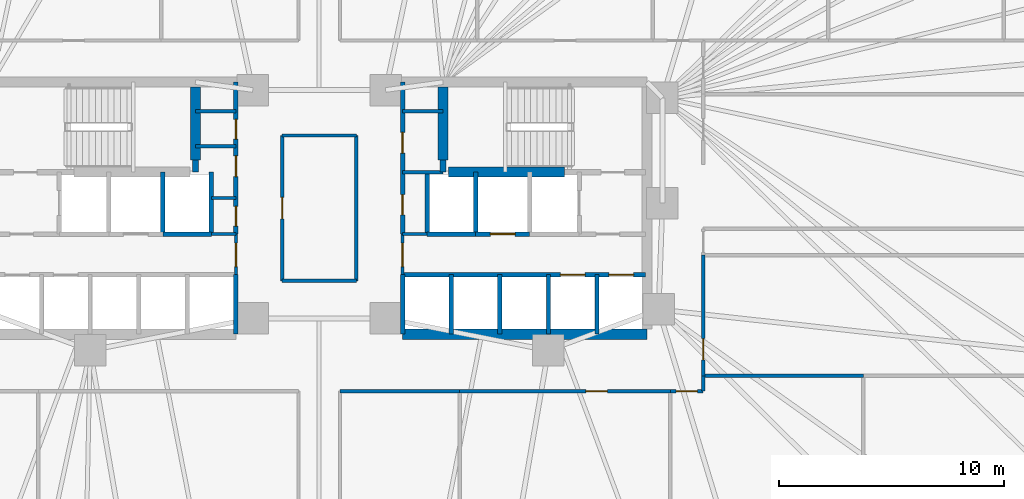
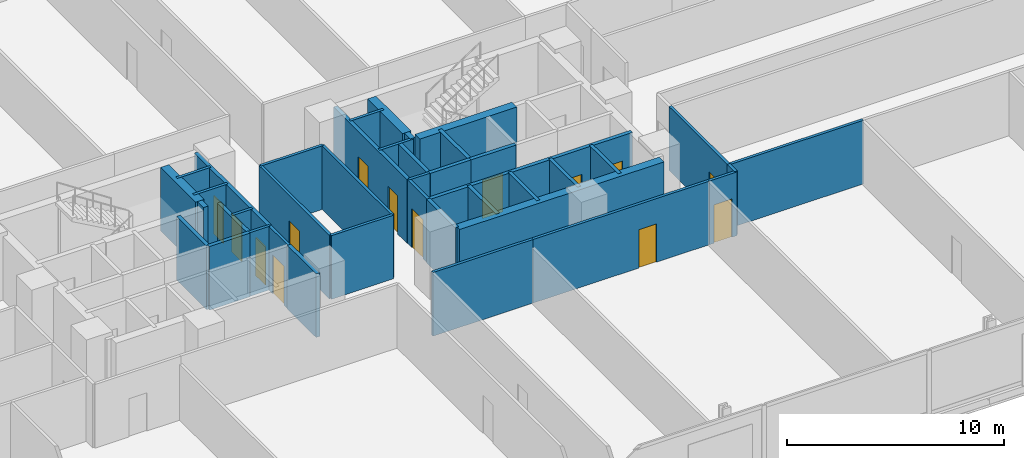
# One storey, part 13 of 17: 41 walls, 14 doors, 14 openings.
"""IFC4 building model written with IfcOpenShell, lengths in metres."""

import ifcopenshell
import ifcopenshell.guid

model = None  # the IFC model being written
_history = None  # IfcOwnerHistory: only IFC2X3 demands one
_inside = {}  # id of a spatial element -> (the spatial element, [elements in it])
_under = {}  # id of a project, library or spatial element -> (it, [spatial elements below it])
_declared = {}  # id of a project -> (the project, [libraries it declares])
_typed = {}  # id of a type object -> (the type object, [elements of that type])
_made_of = {}  # id of a material, layer set ... -> (it, [elements and type objects made of it])


def new_model(schema):
    """Start an empty IFC model of exactly this schema.

    Asked for "IFC4X3", IfcOpenShell would pick the latest addendum, in which some entities
    have other attributes; the version numbers below select the first issue.
    IFC2X3 requires an IfcOwnerHistory on every rooted entity: one is made here for all.
    """
    global model, _history
    if schema == "IFC4X3":
        model = ifcopenshell.file(schema_version=(4, 3, 0, 0))
    else:
        model = ifcopenshell.file(schema=schema)
    _inside.clear()
    _under.clear()
    _declared.clear()
    _typed.clear()
    _made_of.clear()
    _history = None
    if model.schema == "IFC2X3":
        org = make("IfcOrganization", Name="unknown")
        user = make(
            "IfcPersonAndOrganization",
            ThePerson=make("IfcPerson", FamilyName="unknown"),
            TheOrganization=org,
        )
        app = make(
            "IfcApplication",
            ApplicationDeveloper=org,
            Version="unknown",
            ApplicationFullName="unknown",
            ApplicationIdentifier="unknown",
        )
        _history = make(
            "IfcOwnerHistory",
            OwningUser=user,
            OwningApplication=app,
            ChangeAction="ADDED",
            CreationDate=0,
        )
    return model


def make(cls, **values):
    """One entity of the class cls with the attributes given. An attribute that is None is left unset."""
    return model.create_entity(
        cls, **{name: value for name, value in values.items() if value is not None}
    )


def rooted(cls, **values):
    """An entity with a GlobalId (a new one), such as an element, a storey or a relation."""
    return make(cls, GlobalId=ifcopenshell.guid.new(), OwnerHistory=_history, **values)


def si_unit(unit_type, name, prefix=None):
    """IfcSIUnit, for example si_unit("LENGTHUNIT", "METRE", prefix="MILLI")."""
    return make("IfcSIUnit", UnitType=unit_type, Prefix=prefix, Name=name)


def assignment(units):
    """IfcUnitAssignment: the units of a project."""
    return None if units is None else make("IfcUnitAssignment", Units=units)


def point(xyz):
    """IfcCartesianPoint."""
    return None if xyz is None else make("IfcCartesianPoint", Coordinates=xyz)


def direction(xyz):
    """IfcDirection."""
    return None if xyz is None else make("IfcDirection", DirectionRatios=xyz)


def frame(location, z_axis=None, x_axis=None):
    """IfcAxis2Placement3D, a coordinate frame: its origin and axes. An axis left out is left unset."""
    return make(
        "IfcAxis2Placement3D",
        Location=point(location),
        Axis=direction(z_axis),
        RefDirection=direction(x_axis),
    )


def frame_2d(location, x_axis=None):
    """IfcAxis2Placement2D, a coordinate frame in the plane: its origin and x axis."""
    return make(
        "IfcAxis2Placement2D", Location=point(location), RefDirection=direction(x_axis)
    )


def origin():
    """The frame at (0, 0, 0) with its axes left unset."""
    return frame((0.0, 0.0, 0.0))


def place(relative_to, where):
    """IfcLocalPlacement: puts the frame where relative to a parent placement (None: the world)."""
    return make(
        "IfcLocalPlacement", PlacementRelTo=relative_to, RelativePlacement=where
    )


def context(
    kind, dimensions, precision=None, world=None, true_north=None, identifier=None
):
    """IfcGeometricRepresentationContext, for example the 3D "Model" context."""
    return make(
        "IfcGeometricRepresentationContext",
        ContextIdentifier=identifier,
        ContextType=kind,
        CoordinateSpaceDimension=dimensions,
        Precision=precision,
        WorldCoordinateSystem=world,
        TrueNorth=true_north,
    )


def subcontext(parent, identifier, kind, view, scale=None):
    """IfcGeometricRepresentationSubContext, for example "Body" below "Model"."""
    return make(
        "IfcGeometricRepresentationSubContext",
        ContextIdentifier=identifier,
        ContextType=kind,
        ParentContext=parent,
        TargetScale=scale,
        TargetView=view,
    )


def project(units=None, contexts=None):
    """IfcProject with its units and contexts."""
    return rooted(
        "IfcProject",
        Name="project",
        RepresentationContexts=contexts,
        UnitsInContext=assignment(units),
    )


def spatial(cls, under=None, at=None, **own):
    """A site, building, storey or space (cls), placed at a placement, below another one or the project."""
    s = rooted(cls, ObjectPlacement=at, **own)
    if under is not None:
        _under.setdefault(under.id(), (under, []))[1].append(s)
    return s


def profile(cls, at=None, kind="AREA", **sizes):
    """A parametric profile (cls). Its sizes go by their IFC names, for example OverallWidth=200.0."""
    return make(cls, ProfileType=kind, Position=at, **sizes)


def rectangle(**sizes):
    """IfcRectangleProfileDef."""
    return profile("IfcRectangleProfileDef", **sizes)


def extrude(swept, where, along, depth):
    """IfcExtrudedAreaSolid: the profile swept, set in the frame where, extruded along a direction by depth."""
    return make(
        "IfcExtrudedAreaSolid",
        SweptArea=swept,
        Position=where,
        ExtrudedDirection=direction(along),
        Depth=depth,
    )


def shape(context_of_items, identifier, shape_type, items):
    """IfcShapeRepresentation: the items that make up one representation, for example the "Body"."""
    return make(
        "IfcShapeRepresentation",
        ContextOfItems=context_of_items,
        RepresentationIdentifier=identifier,
        RepresentationType=shape_type,
        Items=items,
    )


def material(Name=None, Category=None):
    """IfcMaterial."""
    return make("IfcMaterial", Name=Name, Category=Category)


def layer(
    of_material, thickness, ventilated=None, Name=None, Category=None, Priority=None
):
    """IfcMaterialLayer: one layer of a wall or slab, of a material (None: an air gap)."""
    return make(
        "IfcMaterialLayer",
        Material=of_material,
        LayerThickness=thickness,
        IsVentilated=ventilated,
        Name=Name,
        Category=Category,
        Priority=Priority,
    )


def layer_set(layers, Name=None):
    """IfcMaterialLayerSet."""
    return make("IfcMaterialLayerSet", MaterialLayers=layers, LayerSetName=Name)


def made_of(thing, what):
    """Note that an element or type object is made of a material, layer set ...; save() writes the relation."""
    if what is not None:
        _made_of.setdefault(what.id(), (what, []))[1].append(thing)
    return thing


def type_object(cls, material=None, **own):
    """A type object (cls), such as IfcWallType, which elements share."""
    return made_of(rooted(cls, **own), material)


def element(
    cls,
    number,
    at=None,
    inside=None,
    cuts=None,
    type_object=None,
    material=None,
    context=None,
    identifier="Body",
    shape_type=None,
    held_by="IfcProductDefinitionShape",
    body=None,
    shapes=None,
    **own,
):
    """One element of the class cls, such as IfcWall. Its Tag is "e" and its number.

    at: its placement. inside: the storey or other place that contains it. cuts: it is an
    opening in that element (IfcRelVoidsElement). A single representation is given by context,
    identifier, shape_type and body (its items); several are given by shapes. held_by: the class
    of the entity that holds the representations. save() writes the other relations.
    """
    e = rooted(cls, Tag="e%d" % number, ObjectPlacement=at, **own)
    if body is not None:
        shapes = [shape(context, identifier, shape_type, body)]
    if shapes is not None:
        e.Representation = make(held_by, Representations=shapes)
    if inside is not None:
        _inside.setdefault(inside.id(), (inside, []))[1].append(e)
    if cuts is not None:
        rooted(
            "IfcRelVoidsElement", RelatingBuildingElement=cuts, RelatedOpeningElement=e
        )
    if type_object is not None:
        _typed.setdefault(type_object.id(), (type_object, []))[1].append(e)
    return made_of(e, material)


def fill(opening, filler):
    """IfcRelFillsElement: the door or window that sits in an opening."""
    return rooted(
        "IfcRelFillsElement",
        RelatingOpeningElement=opening,
        RelatedBuildingElement=filler,
    )


def aggregate(whole, parts):
    """IfcRelAggregates: a whole, such as a stair, and the parts it consists of."""
    return rooted("IfcRelAggregates", RelatingObject=whole, RelatedObjects=parts)


def save(model, path):
    """Write the relations noted so far, then the file.

    IfcRelAggregates (storeys below a building ...), IfcRelContainedInSpatialStructure (elements
    in a storey), IfcRelDefinesByType, IfcRelAssociatesMaterial and IfcRelDeclares: one each for
    every whole, place, type object, material and project.
    """
    for whole, parts in _under.values():
        aggregate(whole, parts)
    for where, things in _inside.values():
        rooted(
            "IfcRelContainedInSpatialStructure",
            RelatedElements=things,
            RelatingStructure=where,
        )
    for kind, things in _typed.values():
        rooted("IfcRelDefinesByType", RelatedObjects=things, RelatingType=kind)
    for what, things in _made_of.values():
        rooted("IfcRelAssociatesMaterial", RelatedObjects=things, RelatingMaterial=what)
    for by, libraries in _declared.values():
        rooted("IfcRelDeclares", RelatingContext=by, RelatedDefinitions=libraries)
    model.write(path)


model = new_model("IFC4")

# Units and contexts
model_context = context("Model", 3, precision=1e-05, world=origin(), true_north=direction((0.0, 1.0)))
body_context = subcontext(model_context, "Body", "Model", "MODEL_VIEW")
ifc_project = project(units=[si_unit("LENGTHUNIT", "METRE"), si_unit("AREAUNIT", "SQUARE_METRE"), si_unit("VOLUMEUNIT", "CUBIC_METRE"), si_unit("PLANEANGLEUNIT", "RADIAN"), si_unit("MASSUNIT", "GRAM", prefix="KILO")], contexts=[model_context])

# Site, building, storey
site_placement = place(None, origin())
site = spatial("IfcSite", under=ifc_project, at=site_placement, CompositionType="ELEMENT")
building_placement = place(site_placement, origin())
building = spatial("IfcBuilding", under=site, at=building_placement, Name="Menara Jurai Vektor", CompositionType="ELEMENT")
storey_placement = place(building_placement, frame((0.0, 0.0, 37.0)))
storey = spatial("IfcBuildingStorey", under=building, at=storey_placement, Name="L08", CompositionType="ELEMENT", Elevation=37.0)

# Walls
ifc_material_1 = material(Name="Concrete C40/50", Category="concrete")
ifc_layer_1 = layer(ifc_material_1, 0.25)
ifc_layer_set_1 = layer_set([ifc_layer_1], Name="Concrete C40/50")
wall_type_1 = type_object("IfcWallType", Name="INT-WALL-CORE-250", PredefinedType="STANDARD", material=ifc_layer_set_1)
for number, where, z_axis, x_axis, name in (
    (1, (-5.5, 1.60009765625, 0.0), (0.0, 0.0, 1.0), (0.0, 1.0, 0.0), "Interior Wall IW-250 L08"),
    (2, (5.5, 1.60009765625, 0.0), (0.0, 0.0, 1.0), (0.0, 1.0, 0.0), "Interior Wall IW-250 L08"),
):
    element("IfcWall", number, at=place(storey_placement, frame(where, z_axis=z_axis, x_axis=x_axis)), inside=storey, type_object=wall_type_1, Name=name, PredefinedType="STANDARD", context=body_context, shape_type="SweptSolid", body=[
        extrude(rectangle(XDim=0.5498046875, YDim=0.25, at=frame_2d((0.27490234375, 0.0))), origin(), (0.0, 0.0, 1.0), 3.574951171875),
    ])

# Wall, opening, door
ifc_material_2 = material(Name="Gypsum Fireboard Partition", Category="gypsum")
ifc_layer_2 = layer(ifc_material_2, 0.14990234375)
ifc_layer_set_2 = layer_set([ifc_layer_2], Name="Gypsum Fireboard Partition")
wall_type_2 = type_object("IfcWallType", Name="INT-WALL-CORR-150", PredefinedType="PARTITIONING", material=ifc_layer_set_2)
wall_1_placement = place(storey_placement, frame((-3.699951171875, -2.949951171875, 0.0), z_axis=(0.0, 0.0, 1.0), x_axis=(0.0, 1.0, 0.0)))
wall_1 = element("IfcWall", 3, at=wall_1_placement, inside=storey, type_object=wall_type_2, Name="Interior Wall IW-150 L08", PredefinedType="PARTITIONING", context=body_context, shape_type="SweptSolid", body=[
    extrude(rectangle(XDim=1.800048828125, YDim=0.14990234375, at=frame_2d((0.89990234375, 0.0))), origin(), (0.0, 0.0, 1.0), 3.574951171875),
])
opening_1_placement = place(wall_1_placement, frame((0.35009765625, 0.0, 0.0)))
opening_1 = element("IfcOpeningElement", 4, at=opening_1_placement, cuts=wall_1, Name="Opening D-L08-LLW", PredefinedType="OPENING", context=body_context, shape_type="SweptSolid", body=[
    extrude(rectangle(XDim=1.050048828125, YDim=2.179931640625, at=frame_2d((0.52490234375, 1.08984375))), frame((0.0, 0.0849609375, 0.0), z_axis=(0.0, -1.0, 0.0), x_axis=(1.0, 0.0, 0.0)), (0.0, 0.0, 1.0), 0.169921875),
])
ifc_material_3 = material(Name="Fire-Rated Timber Door", Category="wood")
door_type_1 = type_object("IfcDoorType", Name="DR-LOBBY-1050", OperationType="NOTDEFINED", PredefinedType="DOOR", material=ifc_material_3)
door_1_placement = place(opening_1_placement, origin())
door_1 = element("IfcDoor", 5, at=door_1_placement, inside=storey, type_object=door_type_1, Name="Lift Lobby Corridor Door W L08", OperationType="SINGLE_SWING_LEFT", OverallHeight=2.179931640625, OverallWidth=1.050048828125, PredefinedType="DOOR", context=body_context, shape_type="SweptSolid", body=[
    extrude(rectangle(XDim=1.050048828125, YDim=2.179931640625, at=frame_2d((0.52490234375, 1.08984375))), frame((0.0, 0.02490234375, 0.0), z_axis=(0.0, -1.0, 0.0), x_axis=(1.0, 0.0, 0.0)), (0.0, 0.0, 1.0), 0.050048828125),
])
fill(opening_1, door_1)

# Wall
wall_2_placement = place(storey_placement, frame((-4.7900390625, -1.14990234375, 0.0), z_axis=(0.0, 0.0, 1.0), x_axis=(1.0, 0.0, 0.0)))
element("IfcWall", 6, at=wall_2_placement, inside=storey, type_object=wall_type_2, Name="Interior Wall IW-150 L08", PredefinedType="PARTITIONING", context=body_context, shape_type="SweptSolid", body=[
    extrude(rectangle(XDim=1.090087890625, YDim=0.14990234375, at=frame_2d((0.544921875, 0.0))), origin(), (0.0, 0.0, 1.0), 3.574951171875),
])

# Wall, opening, door
wall_3_placement = place(storey_placement, frame((3.699951171875, -2.949951171875, 0.0), z_axis=(0.0, 0.0, 1.0), x_axis=(0.0, 1.0, 0.0)))
wall_3 = element("IfcWall", 7, at=wall_3_placement, inside=storey, type_object=wall_type_2, Name="Interior Wall IW-150 L08", PredefinedType="PARTITIONING", context=body_context, shape_type="SweptSolid", body=[
    extrude(rectangle(XDim=1.800048828125, YDim=0.14990234375, at=frame_2d((0.89990234375, 0.0))), origin(), (0.0, 0.0, 1.0), 3.574951171875),
])
opening_2_placement = place(wall_3_placement, frame((0.35009765625, 0.0, 0.0)))
opening_2 = element("IfcOpeningElement", 8, at=opening_2_placement, cuts=wall_3, Name="Opening D-L08-LLE", PredefinedType="OPENING", context=body_context, shape_type="SweptSolid", body=[
    extrude(rectangle(XDim=1.050048828125, YDim=2.179931640625, at=frame_2d((0.52490234375, 1.08984375))), frame((0.0, 0.0849609375, 0.0), z_axis=(0.0, -1.0, 0.0), x_axis=(1.0, 0.0, 0.0)), (0.0, 0.0, 1.0), 0.169921875),
])
door_2_placement = place(opening_2_placement, frame((1.050048828125, 0.0, 0.0), z_axis=(0.0, 0.0, 1.0), x_axis=(-1.0, 0.0, 0.0)))
door_2 = element("IfcDoor", 9, at=door_2_placement, inside=storey, type_object=door_type_1, Name="Lift Lobby Corridor Door E L08", OperationType="SINGLE_SWING_RIGHT", OverallHeight=2.179931640625, OverallWidth=1.050048828125, PredefinedType="DOOR", context=body_context, shape_type="SweptSolid", body=[
    extrude(rectangle(XDim=1.050048828125, YDim=2.179931640625, at=frame_2d((0.52490234375, 1.08984375))), frame((0.0, 0.02490234375, 0.0), z_axis=(0.0, -1.0, 0.0), x_axis=(1.0, 0.0, 0.0)), (0.0, 0.0, 1.0), 0.050048828125),
])
fill(opening_2, door_2)

# Walls
wall_4_placement = place(storey_placement, frame((3.699951171875, -1.14990234375, 0.0), z_axis=(0.0, 0.0, 1.0), x_axis=(1.0, 0.0, 0.0)))
element("IfcWall", 10, at=wall_4_placement, inside=storey, type_object=wall_type_2, Name="Interior Wall IW-150 L08", PredefinedType="PARTITIONING", context=body_context, shape_type="SweptSolid", body=[
    extrude(rectangle(XDim=1.090087890625, YDim=0.14990234375, at=frame_2d((0.544921875, 0.0))), origin(), (0.0, 0.0, 1.0), 3.574951171875),
])
wall_5_placement = place(storey_placement, frame((-5.5, 4.300048828125, 0.0), z_axis=(0.0, 0.0, 1.0), x_axis=(1.0, 0.0, 0.0)))
element("IfcWall", 11, at=wall_5_placement, inside=storey, type_object=wall_type_2, Name="Interior Wall IW-150 L08", PredefinedType="PARTITIONING", context=body_context, shape_type="SweptSolid", body=[
    extrude(rectangle(XDim=1.800048828125, YDim=0.14990234375, at=frame_2d((0.89990234375, 0.0))), origin(), (0.0, 0.0, 1.0), 3.574951171875),
])
wall_6_placement = place(storey_placement, frame((-4.7900390625, 0.449951171875, 0.0), z_axis=(0.0, 0.0, 1.0), x_axis=(1.0, 0.0, 0.0)))
element("IfcWall", 12, at=wall_6_placement, inside=storey, type_object=wall_type_2, Name="Interior Wall IW-150 L08", PredefinedType="PARTITIONING", context=body_context, shape_type="SweptSolid", body=[
    extrude(rectangle(XDim=1.090087890625, YDim=0.14990234375, at=frame_2d((0.544921875, 0.0))), origin(), (0.0, 0.0, 1.0), 3.574951171875),
])
for number, where, z_axis, x_axis, name in (
    (13, (-5.5, 2.75, 0.0), (0.0, 0.0, 1.0), (1.0, 0.0, 0.0), "Interior Wall IW-150 L08"),
    (14, (3.699951171875, 4.300048828125, 0.0), (0.0, 0.0, 1.0), (1.0, 0.0, 0.0), "Interior Wall IW-150 L08"),
    (15, (3.699951171875, 1.60009765625, 0.0), (0.0, 0.0, 1.0), (1.0, 0.0, 0.0), "Interior Wall IW-150 L08"),
):
    element("IfcWall", number, at=place(storey_placement, frame(where, z_axis=z_axis, x_axis=x_axis)), inside=storey, type_object=wall_type_2, Name=name, PredefinedType="PARTITIONING", context=body_context, shape_type="SweptSolid", body=[
        extrude(rectangle(XDim=1.800048828125, YDim=0.14990234375, at=frame_2d((0.89990234375, 0.0))), origin(), (0.0, 0.0, 1.0), 3.574951171875),
    ])

# Wall, opening, door
wall_7_placement = place(storey_placement, frame((-1.64990234375, -3.22998046875, 0.0), z_axis=(0.0, 0.0, 1.0), x_axis=(0.0, 1.0, 0.0)))
wall_7 = element("IfcWall", 16, at=wall_7_placement, inside=storey, type_object=wall_type_2, Name="Interior Wall IW-150 L08", PredefinedType="PARTITIONING", context=body_context, shape_type="SweptSolid", body=[
    extrude(rectangle(XDim=6.4599609375, YDim=0.14990234375, at=frame_2d((3.22998046875, 0.0))), origin(), (0.0, 0.0, 1.0), 3.574951171875),
])
opening_3_placement = place(wall_7_placement, frame((2.7548828125, 0.0, 0.0)))
opening_3 = element("IfcOpeningElement", 17, at=opening_3_placement, cuts=wall_7, Name="Opening D08-06", PredefinedType="OPENING", context=body_context, shape_type="SweptSolid", body=[
    extrude(rectangle(XDim=0.949951171875, YDim=2.14990234375, at=frame_2d((0.47509765625, 1.074951171875))), frame((0.0, 0.0849609375, 0.0), z_axis=(0.0, -1.0, 0.0), x_axis=(1.0, 0.0, 0.0)), (0.0, 0.0, 1.0), 0.169921875),
])
ifc_material_4 = material(Name="Solid Core Timber Fire Door", Category="wood")
door_type_2 = type_object("IfcDoorType", Name="DR-ENTRY-950", OperationType="NOTDEFINED", PredefinedType="DOOR", material=ifc_material_4)
door_3_placement = place(opening_3_placement, origin())
door_3 = element("IfcDoor", 18, at=door_3_placement, inside=storey, type_object=door_type_2, Name="Interior Door D08-06", OperationType="SINGLE_SWING_LEFT", OverallHeight=2.14990234375, OverallWidth=0.949951171875, PredefinedType="DOOR", context=body_context, shape_type="SweptSolid", body=[
    extrude(rectangle(XDim=0.949951171875, YDim=2.14990234375, at=frame_2d((0.47509765625, 1.074951171875))), frame((0.0, 0.02490234375, 0.0), z_axis=(0.0, -1.0, 0.0), x_axis=(1.0, 0.0, 0.0)), (0.0, 0.0, 1.0), 0.050048828125),
])
fill(opening_3, door_3)

# Walls
for number, where, z_axis, x_axis, name in (
    (19, (-1.64990234375, -3.22998046875, 0.0), (0.0, 0.0, 1.0), (1.0, 0.0, 0.0), "Interior Wall IW-150 L08"),
    (20, (-1.64990234375, 3.22998046875, 0.0), (0.0, 0.0, 1.0), (1.0, 0.0, 0.0), "Interior Wall IW-150 L08"),
):
    element("IfcWall", number, at=place(storey_placement, frame(where, z_axis=z_axis, x_axis=x_axis)), inside=storey, type_object=wall_type_2, Name=name, PredefinedType="PARTITIONING", context=body_context, shape_type="SweptSolid", body=[
        extrude(rectangle(XDim=3.2998046875, YDim=0.14990234375, at=frame_2d((1.64990234375, 0.0))), origin(), (0.0, 0.0, 1.0), 3.574951171875),
    ])
wall_8_placement = place(storey_placement, frame((1.64990234375, -3.22998046875, 0.0), z_axis=(0.0, 0.0, 1.0), x_axis=(0.0, 1.0, 0.0)))
element("IfcWall", 21, at=wall_8_placement, inside=storey, type_object=wall_type_2, Name="Interior Wall IW-150 L08", PredefinedType="PARTITIONING", context=body_context, shape_type="SweptSolid", body=[
    extrude(rectangle(XDim=6.4599609375, YDim=0.14990234375, at=frame_2d((3.22998046875, 0.0))), origin(), (0.0, 0.0, 1.0), 3.574951171875),
])
wall_9_placement = place(storey_placement, frame((0.919921875, -8.1298828125, 0.0), z_axis=(0.0, 0.0, 1.0), x_axis=(1.0, 0.0, 0.0)))
element("IfcWall", 22, at=wall_9_placement, inside=storey, type_object=wall_type_2, Name="Interior Wall IW-150 L08", PredefinedType="PARTITIONING", context=body_context, shape_type="SweptSolid", body=[
    extrude(rectangle(XDim=5.320068359375, YDim=0.14990234375, at=frame_2d((2.66015625, 0.0))), origin(), (0.0, 0.0, 1.0), 3.574951171875),
])

# Wall, opening, door
wall_10_placement = place(storey_placement, frame((6.239990234375, -8.1298828125, 0.0), z_axis=(0.0, 0.0, 1.0), x_axis=(1.0, 0.0, 0.0)))
wall_10 = element("IfcWall", 23, at=wall_10_placement, inside=storey, type_object=wall_type_2, Name="Interior Wall IW-150 L08", PredefinedType="PARTITIONING", context=body_context, shape_type="SweptSolid", body=[
    extrude(rectangle(XDim=9.360107421875, YDim=0.14990234375, at=frame_2d((4.68017578125, 0.0))), origin(), (0.0, 0.0, 1.0), 3.574951171875),
])
opening_4_placement = place(wall_10_placement, frame((5.60888671875, 0.0, 0.0)))
opening_4 = element("IfcOpeningElement", 24, at=opening_4_placement, cuts=wall_10, Name="Opening D08-16", PredefinedType="OPENING", context=body_context, shape_type="SweptSolid", body=[
    extrude(rectangle(XDim=0.949951171875, YDim=2.14990234375, at=frame_2d((0.47509765625, 1.074951171875))), frame((0.0, 0.0849609375, 0.0), z_axis=(0.0, -1.0, 0.0), x_axis=(1.0, 0.0, 0.0)), (0.0, 0.0, 1.0), 0.169921875),
])
door_4_placement = place(opening_4_placement, origin())
door_4 = element("IfcDoor", 25, at=door_4_placement, inside=storey, type_object=door_type_2, Name="Interior Door D08-16", OperationType="SINGLE_SWING_LEFT", OverallHeight=2.14990234375, OverallWidth=0.949951171875, PredefinedType="DOOR", context=body_context, shape_type="SweptSolid", body=[
    extrude(rectangle(XDim=0.949951171875, YDim=2.14990234375, at=frame_2d((0.47509765625, 1.074951171875))), frame((0.0, 0.02490234375, 0.0), z_axis=(0.0, -1.0, 0.0), x_axis=(1.0, 0.0, 0.0)), (0.0, 0.0, 1.0), 0.050048828125),
])
fill(opening_4, door_4)

wall_11_placement = place(storey_placement, frame((15.60009765625, -8.1298828125, 0.0), z_axis=(0.0, 0.0, 1.0), x_axis=(1.0, 0.0, 0.0)))
wall_11 = element("IfcWall", 26, at=wall_11_placement, inside=storey, type_object=wall_type_2, Name="Interior Wall IW-150 L08", PredefinedType="PARTITIONING", context=body_context, shape_type="SweptSolid", body=[
    extrude(rectangle(XDim=1.458984375, YDim=0.14990234375, at=frame_2d((0.7294921875, 0.0))), origin(), (0.0, 0.0, 1.0), 3.574951171875),
])
opening_5_placement = place(wall_11_placement, frame((0.25439453125, 0.0, 0.0)))
opening_5 = element("IfcOpeningElement", 27, at=opening_5_placement, cuts=wall_11, Name="Opening D08-17", PredefinedType="OPENING", context=body_context, shape_type="SweptSolid", body=[
    extrude(rectangle(XDim=0.949951171875, YDim=2.14990234375, at=frame_2d((0.47509765625, 1.074951171875))), frame((0.0, 0.0849609375, 0.0), z_axis=(0.0, -1.0, 0.0), x_axis=(1.0, 0.0, 0.0)), (0.0, 0.0, 1.0), 0.169921875),
])
door_5_placement = place(opening_5_placement, origin())
door_5 = element("IfcDoor", 28, at=door_5_placement, inside=storey, type_object=door_type_2, Name="Interior Door D08-17", OperationType="SINGLE_SWING_RIGHT", OverallHeight=2.14990234375, OverallWidth=0.949951171875, PredefinedType="DOOR", context=body_context, shape_type="SweptSolid", body=[
    extrude(rectangle(XDim=0.949951171875, YDim=2.14990234375, at=frame_2d((0.47509765625, 1.074951171875))), frame((0.0, 0.02490234375, 0.0), z_axis=(0.0, -1.0, 0.0), x_axis=(1.0, 0.0, 0.0)), (0.0, 0.0, 1.0), 0.050048828125),
])
fill(opening_5, door_5)

# Wall
wall_12_placement = place(storey_placement, frame((17.05908203125, -8.1298828125, 0.0), z_axis=(0.0, 0.0, 1.0), x_axis=(0.0, 1.0, 0.0)))
element("IfcWall", 29, at=wall_12_placement, inside=storey, type_object=wall_type_2, Name="Interior Wall IW-150 L08", PredefinedType="PARTITIONING", context=body_context, shape_type="SweptSolid", body=[
    extrude(rectangle(XDim=0.679931640625, YDim=0.14990234375, at=frame_2d((0.33984375, 0.0))), origin(), (0.0, 0.0, 1.0), 3.574951171875),
])

# Wall, opening, door
wall_13_placement = place(storey_placement, frame((17.05908203125, -7.449951171875, 0.0), z_axis=(0.0, 0.0, 1.0), x_axis=(0.0, 1.0, 0.0)))
wall_13 = element("IfcWall", 30, at=wall_13_placement, inside=storey, type_object=wall_type_2, Name="Interior Wall IW-150 L08", PredefinedType="PARTITIONING", context=body_context, shape_type="SweptSolid", body=[
    extrude(rectangle(XDim=5.364013671875, YDim=0.14990234375, at=frame_2d((2.68212890625, 0.0))), origin(), (0.0, 0.0, 1.0), 3.574951171875),
])
opening_6_placement = place(wall_13_placement, frame((0.705078125, 0.0, 0.0)))
opening_6 = element("IfcOpeningElement", 31, at=opening_6_placement, cuts=wall_13, Name="Opening D08-21", PredefinedType="OPENING", context=body_context, shape_type="SweptSolid", body=[
    extrude(rectangle(XDim=0.949951171875, YDim=2.14990234375, at=frame_2d((0.47509765625, 1.074951171875))), frame((0.0, 0.0849609375, 0.0), z_axis=(0.0, -1.0, 0.0), x_axis=(1.0, 0.0, 0.0)), (0.0, 0.0, 1.0), 0.169921875),
])
door_6_placement = place(opening_6_placement, origin())
door_6 = element("IfcDoor", 32, at=door_6_placement, inside=storey, type_object=door_type_2, Name="Interior Door D08-21", OperationType="SINGLE_SWING_RIGHT", OverallHeight=2.14990234375, OverallWidth=0.949951171875, PredefinedType="DOOR", context=body_context, shape_type="SweptSolid", body=[
    extrude(rectangle(XDim=0.949951171875, YDim=2.14990234375, at=frame_2d((0.47509765625, 1.074951171875))), frame((0.0, 0.02490234375, 0.0), z_axis=(0.0, -1.0, 0.0), x_axis=(1.0, 0.0, 0.0)), (0.0, 0.0, 1.0), 0.050048828125),
])
fill(opening_6, door_6)

# Wall
wall_14_placement = place(storey_placement, frame((17.05908203125, -7.449951171875, 0.0), z_axis=(0.0, 0.0, 1.0), x_axis=(1.0, 0.0, 0.0)))
element("IfcWall", 33, at=wall_14_placement, inside=storey, type_object=wall_type_2, Name="Interior Wall IW-150 L08", PredefinedType="PARTITIONING", context=body_context, shape_type="SweptSolid", body=[
    extrude(rectangle(XDim=7.120849609375, YDim=0.14990234375, at=frame_2d((3.560546875, 0.0))), origin(), (0.0, 0.0, 1.0), 3.574951171875),
])

# Wall, openings, doors
ifc_layer_3 = layer(ifc_material_1, 0.199951171875)
ifc_layer_set_3 = layer_set([ifc_layer_3], Name="Concrete C40/50")
wall_type_3 = type_object("IfcWallType", Name="INT-WALL-SHAFT-200", PredefinedType="STANDARD", material=ifc_layer_set_3)
wall_15_placement = place(storey_placement, frame((-3.699951171875, -1.14990234375, 0.0), z_axis=(0.0, 0.0, 1.0), x_axis=(0.0, 1.0, 0.0)))
wall_15 = element("IfcWall", 34, at=wall_15_placement, inside=storey, type_object=wall_type_3, Name="Interior Wall IW-200 L08", PredefinedType="STANDARD", context=body_context, shape_type="SweptSolid", body=[
    extrude(rectangle(XDim=6.75, YDim=0.199951171875, at=frame_2d((3.375, 0.0))), origin(), (0.0, 0.0, 1.0), 3.574951171875),
])
opening_7_placement = place(wall_15_placement, frame((0.35009765625, 0.0, 0.0)))
opening_7 = element("IfcOpeningElement", 35, at=opening_7_placement, cuts=wall_15, Name="Opening D08-01", PredefinedType="OPENING", context=body_context, shape_type="SweptSolid", body=[
    extrude(rectangle(XDim=0.8798828125, YDim=2.14990234375, at=frame_2d((0.43994140625, 1.074951171875))), frame((0.0, 0.10986328125, 0.0), z_axis=(0.0, -1.0, 0.0), x_axis=(1.0, 0.0, 0.0)), (0.0, 0.0, 1.0), 0.219970703125),
])
opening_8_placement = place(wall_15_placement, frame((2.550048828125, 0.0, 0.0)))
opening_8 = element("IfcOpeningElement", 36, at=opening_8_placement, cuts=wall_15, Name="Opening D08-02", PredefinedType="OPENING", context=body_context, shape_type="SweptSolid", body=[
    extrude(rectangle(XDim=0.919921875, YDim=2.14990234375, at=frame_2d((0.4599609375, 1.074951171875))), frame((0.0, 0.10986328125, 0.0), z_axis=(0.0, -1.0, 0.0), x_axis=(1.0, 0.0, 0.0)), (0.0, 0.0, 1.0), 0.219970703125),
])
opening_9_placement = place(wall_15_placement, frame((4.219970703125, 0.0, 0.0)))
opening_9 = element("IfcOpeningElement", 37, at=opening_9_placement, cuts=wall_15, Name="Opening D08-03", PredefinedType="OPENING", context=body_context, shape_type="SweptSolid", body=[
    extrude(rectangle(XDim=0.8798828125, YDim=2.14990234375, at=frame_2d((0.43994140625, 1.074951171875))), frame((0.0, 0.10986328125, 0.0), z_axis=(0.0, -1.0, 0.0), x_axis=(1.0, 0.0, 0.0)), (0.0, 0.0, 1.0), 0.219970703125),
])
door_7_placement = place(opening_7_placement, origin())
door_7 = element("IfcDoor", 38, at=door_7_placement, inside=storey, type_object=door_type_2, Name="Interior Door D08-01", OperationType="SINGLE_SWING_LEFT", OverallHeight=2.14990234375, OverallWidth=0.8798828125, PredefinedType="DOOR", context=body_context, shape_type="SweptSolid", body=[
    extrude(rectangle(XDim=0.8798828125, YDim=2.14990234375, at=frame_2d((0.43994140625, 1.074951171875))), frame((0.0, 0.02490234375, 0.0), z_axis=(0.0, -1.0, 0.0), x_axis=(1.0, 0.0, 0.0)), (0.0, 0.0, 1.0), 0.050048828125),
])
fill(opening_7, door_7)
door_8_placement = place(opening_8_placement, origin())
door_8 = element("IfcDoor", 39, at=door_8_placement, inside=storey, type_object=door_type_2, Name="Interior Door D08-02", OperationType="SINGLE_SWING_LEFT", OverallHeight=2.14990234375, OverallWidth=0.919921875, PredefinedType="DOOR", context=body_context, shape_type="SweptSolid", body=[
    extrude(rectangle(XDim=0.919921875, YDim=2.14990234375, at=frame_2d((0.4599609375, 1.074951171875))), frame((0.0, 0.02490234375, 0.0), z_axis=(0.0, -1.0, 0.0), x_axis=(1.0, 0.0, 0.0)), (0.0, 0.0, 1.0), 0.050048828125),
])
fill(opening_8, door_8)
door_9_placement = place(opening_9_placement, origin())
door_9 = element("IfcDoor", 40, at=door_9_placement, inside=storey, type_object=door_type_2, Name="Interior Door D08-03", OperationType="SINGLE_SWING_LEFT", OverallHeight=2.14990234375, OverallWidth=0.8798828125, PredefinedType="DOOR", context=body_context, shape_type="SweptSolid", body=[
    extrude(rectangle(XDim=0.8798828125, YDim=2.14990234375, at=frame_2d((0.43994140625, 1.074951171875))), frame((0.0, 0.02490234375, 0.0), z_axis=(0.0, -1.0, 0.0), x_axis=(1.0, 0.0, 0.0)), (0.0, 0.0, 1.0), 0.050048828125),
])
fill(opening_9, door_9)

# Walls
wall_16_placement = place(storey_placement, frame((-3.699951171875, -5.60009765625, 0.0), z_axis=(0.0, 0.0, 1.0), x_axis=(0.0, 1.0, 0.0)))
element("IfcWall", 41, at=wall_16_placement, inside=storey, type_object=wall_type_3, Name="Interior Wall IW-200 L08", PredefinedType="STANDARD", context=body_context, shape_type="SweptSolid", body=[
    extrude(rectangle(XDim=2.650146484375, YDim=0.199951171875, at=frame_2d((1.3251953125, 0.0))), origin(), (0.0, 0.0, 1.0), 3.574951171875),
])
for number, where, z_axis, x_axis, name in (
    (42, (-6.949951171875, -1.14990234375, 0.0), (0.0, 0.0, 1.0), (0.0, 1.0, 0.0), "Interior Wall IW-200 L08"),
    (43, (-4.7900390625, -1.14990234375, 0.0), (0.0, 0.0, 1.0), (0.0, 1.0, 0.0), "Interior Wall IW-200 L08"),
):
    element("IfcWall", number, at=place(storey_placement, frame(where, z_axis=z_axis, x_axis=x_axis)), inside=storey, type_object=wall_type_3, Name=name, PredefinedType="STANDARD", context=body_context, shape_type="SweptSolid", body=[
        extrude(rectangle(XDim=2.75, YDim=0.199951171875, at=frame_2d((1.375, 0.0))), origin(), (0.0, 0.0, 1.0), 3.574951171875),
    ])
wall_17_placement = place(storey_placement, frame((-6.949951171875, -1.14990234375, 0.0), z_axis=(0.0, 0.0, 1.0), x_axis=(1.0, 0.0, 0.0)))
element("IfcWall", 44, at=wall_17_placement, inside=storey, type_object=wall_type_3, Name="Interior Wall IW-200 L08", PredefinedType="STANDARD", context=body_context, shape_type="SweptSolid", body=[
    extrude(rectangle(XDim=2.159912109375, YDim=0.199951171875, at=frame_2d((1.080078125, 0.0))), origin(), (0.0, 0.0, 1.0), 3.574951171875),
])

# Wall, openings, doors
wall_18_placement = place(storey_placement, frame((3.699951171875, -1.14990234375, 0.0), z_axis=(0.0, 0.0, 1.0), x_axis=(0.0, 1.0, 0.0)))
wall_18 = element("IfcWall", 45, at=wall_18_placement, inside=storey, type_object=wall_type_3, Name="Interior Wall IW-200 L08", PredefinedType="STANDARD", context=body_context, shape_type="SweptSolid", body=[
    extrude(rectangle(XDim=6.75, YDim=0.199951171875, at=frame_2d((3.375, 0.0))), origin(), (0.0, 0.0, 1.0), 3.574951171875),
])
opening_10_placement = place(wall_18_placement, frame((3.60009765625, 0.0, 0.0)))
opening_10 = element("IfcOpeningElement", 46, at=opening_10_placement, cuts=wall_18, Name="Opening D08-04", PredefinedType="OPENING", context=body_context, shape_type="SweptSolid", body=[
    extrude(rectangle(XDim=0.919921875, YDim=2.14990234375, at=frame_2d((0.4599609375, 1.074951171875))), frame((0.0, 0.10986328125, 0.0), z_axis=(0.0, -1.0, 0.0), x_axis=(1.0, 0.0, 0.0)), (0.0, 0.0, 1.0), 0.219970703125),
])
opening_11_placement = place(wall_18_placement, frame((0.85009765625, 0.0, 0.0)))
opening_11 = element("IfcOpeningElement", 47, at=opening_11_placement, cuts=wall_18, Name="Opening D08-05", PredefinedType="OPENING", context=body_context, shape_type="SweptSolid", body=[
    extrude(rectangle(XDim=0.89990234375, YDim=2.14990234375, at=frame_2d((0.449951171875, 1.074951171875))), frame((0.0, 0.10986328125, 0.0), z_axis=(0.0, -1.0, 0.0), x_axis=(1.0, 0.0, 0.0)), (0.0, 0.0, 1.0), 0.219970703125),
])
door_10_placement = place(opening_10_placement, origin())
door_10 = element("IfcDoor", 48, at=door_10_placement, inside=storey, type_object=door_type_2, Name="Interior Door D08-04", OperationType="SINGLE_SWING_RIGHT", OverallHeight=2.14990234375, OverallWidth=0.919921875, PredefinedType="DOOR", context=body_context, shape_type="SweptSolid", body=[
    extrude(rectangle(XDim=0.919921875, YDim=2.14990234375, at=frame_2d((0.4599609375, 1.074951171875))), frame((0.0, 0.02490234375, 0.0), z_axis=(0.0, -1.0, 0.0), x_axis=(1.0, 0.0, 0.0)), (0.0, 0.0, 1.0), 0.050048828125),
])
fill(opening_10, door_10)
door_11_placement = place(opening_11_placement, origin())
door_11 = element("IfcDoor", 49, at=door_11_placement, inside=storey, type_object=door_type_2, Name="Interior Door D08-05", OperationType="SINGLE_SWING_RIGHT", OverallHeight=2.14990234375, OverallWidth=0.89990234375, PredefinedType="DOOR", context=body_context, shape_type="SweptSolid", body=[
    extrude(rectangle(XDim=0.89990234375, YDim=2.14990234375, at=frame_2d((0.449951171875, 1.074951171875))), frame((0.0, 0.02490234375, 0.0), z_axis=(0.0, -1.0, 0.0), x_axis=(1.0, 0.0, 0.0)), (0.0, 0.0, 1.0), 0.050048828125),
])
fill(opening_11, door_11)

# Walls
wall_19_placement = place(storey_placement, frame((3.699951171875, -5.60009765625, 0.0), z_axis=(0.0, 0.0, 1.0), x_axis=(0.0, 1.0, 0.0)))
element("IfcWall", 50, at=wall_19_placement, inside=storey, type_object=wall_type_3, Name="Interior Wall IW-200 L08", PredefinedType="STANDARD", context=body_context, shape_type="SweptSolid", body=[
    extrude(rectangle(XDim=2.650146484375, YDim=0.199951171875, at=frame_2d((1.3251953125, 0.0))), origin(), (0.0, 0.0, 1.0), 3.574951171875),
])
wall_20_placement = place(storey_placement, frame((6.949951171875, -1.14990234375, 0.0), z_axis=(0.0, 0.0, 1.0), x_axis=(0.0, 1.0, 0.0)))
element("IfcWall", 51, at=wall_20_placement, inside=storey, type_object=wall_type_3, Name="Interior Wall IW-200 L08", PredefinedType="STANDARD", context=body_context, shape_type="SweptSolid", body=[
    extrude(rectangle(XDim=2.75, YDim=0.199951171875, at=frame_2d((1.375, 0.0))), origin(), (0.0, 0.0, 1.0), 3.574951171875),
])

# Wall, opening, door
wall_21_placement = place(storey_placement, frame((6.949951171875, -1.14990234375, 0.0), z_axis=(0.0, 0.0, 1.0), x_axis=(1.0, 0.0, 0.0)))
wall_21 = element("IfcWall", 52, at=wall_21_placement, inside=storey, type_object=wall_type_3, Name="Interior Wall IW-200 L08", PredefinedType="STANDARD", context=body_context, shape_type="SweptSolid", body=[
    extrude(rectangle(XDim=2.400146484375, YDim=0.199951171875, at=frame_2d((1.2001953125, 0.0))), origin(), (0.0, 0.0, 1.0), 3.574951171875),
])
opening_12_placement = place(wall_21_placement, frame((0.64990234375, 0.0, 0.0)))
opening_12 = element("IfcOpeningElement", 53, at=opening_12_placement, cuts=wall_21, Name="Opening LD-L08-SVL2", PredefinedType="OPENING", context=body_context, shape_type="SweptSolid", body=[
    extrude(rectangle(XDim=1.10009765625, YDim=2.14990234375, at=frame_2d((0.550048828125, 1.074951171875))), frame((0.0, 0.10986328125, 0.0), z_axis=(0.0, -1.0, 0.0), x_axis=(1.0, 0.0, 0.0)), (0.0, 0.0, 1.0), 0.219970703125),
])
ifc_material_5 = material(Name="Anodised Stainless Sliding Lift Landing Door", Category="steel")
door_type_3 = type_object("IfcDoorType", Name="DR-LIFT-PASS-1100", OperationType="NOTDEFINED", PredefinedType="DOOR", material=ifc_material_5)
door_12_placement = place(opening_12_placement, origin())
door_12 = element("IfcDoor", 54, at=door_12_placement, inside=storey, type_object=door_type_3, Name="Lift Landing Door SVL2 L08", OperationType="SLIDING_TO_RIGHT", OverallHeight=2.14990234375, OverallWidth=1.10009765625, PredefinedType="DOOR", context=body_context, shape_type="SweptSolid", body=[
    extrude(rectangle(XDim=1.10009765625, YDim=2.14990234375, at=frame_2d((0.550048828125, 1.074951171875))), frame((0.0, 0.02490234375, 0.0), z_axis=(0.0, -1.0, 0.0), x_axis=(1.0, 0.0, 0.0)), (0.0, 0.0, 1.0), 0.050048828125),
])
fill(opening_12, door_12)

# Walls
wall_22_placement = place(storey_placement, frame((4.7900390625, -1.14990234375, 0.0), z_axis=(0.0, 0.0, 1.0), x_axis=(0.0, 1.0, 0.0)))
element("IfcWall", 55, at=wall_22_placement, inside=storey, type_object=wall_type_3, Name="Interior Wall IW-200 L08", PredefinedType="STANDARD", context=body_context, shape_type="SweptSolid", body=[
    extrude(rectangle(XDim=2.75, YDim=0.199951171875, at=frame_2d((1.375, 0.0))), origin(), (0.0, 0.0, 1.0), 3.574951171875),
])
wall_23_placement = place(storey_placement, frame((4.7900390625, -1.14990234375, 0.0), z_axis=(0.0, 0.0, 1.0), x_axis=(1.0, 0.0, 0.0)))
element("IfcWall", 56, at=wall_23_placement, inside=storey, type_object=wall_type_3, Name="Interior Wall IW-200 L08", PredefinedType="STANDARD", context=body_context, shape_type="SweptSolid", body=[
    extrude(rectangle(XDim=2.159912109375, YDim=0.199951171875, at=frame_2d((1.080078125, 0.0))), origin(), (0.0, 0.0, 1.0), 3.574951171875),
])

# Wall, openings, doors
wall_24_placement = place(storey_placement, frame((3.699951171875, -2.949951171875, 0.0), z_axis=(0.0, 0.0, 1.0), x_axis=(1.0, 0.0, 0.0)))
wall_24 = element("IfcWall", 57, at=wall_24_placement, inside=storey, type_object=wall_type_3, Name="Interior Wall IW-200 L08", PredefinedType="STANDARD", context=body_context, shape_type="SweptSolid", body=[
    extrude(rectangle(XDim=10.800048828125, YDim=0.199951171875, at=frame_2d((5.39990234375, 0.0))), origin(), (0.0, 0.0, 1.0), 3.574951171875),
])
opening_13_placement = place(wall_24_placement, frame((7.010009765625, 0.0, 0.0)))
opening_13 = element("IfcOpeningElement", 58, at=opening_13_placement, cuts=wall_24, Name="Opening LD-L08-PL3", PredefinedType="OPENING", context=body_context, shape_type="SweptSolid", body=[
    extrude(rectangle(XDim=1.10009765625, YDim=2.14990234375, at=frame_2d((0.550048828125, 1.074951171875))), frame((0.0, 0.10986328125, 0.0), z_axis=(0.0, -1.0, 0.0), x_axis=(1.0, 0.0, 0.0)), (0.0, 0.0, 1.0), 0.219970703125),
])
opening_14_placement = place(wall_24_placement, frame((9.169921875, 0.0, 0.0)))
opening_14 = element("IfcOpeningElement", 59, at=opening_14_placement, cuts=wall_24, Name="Opening LD-L08-PL4", PredefinedType="OPENING", context=body_context, shape_type="SweptSolid", body=[
    extrude(rectangle(XDim=1.10009765625, YDim=2.14990234375, at=frame_2d((0.550048828125, 1.074951171875))), frame((0.0, 0.10986328125, 0.0), z_axis=(0.0, -1.0, 0.0), x_axis=(1.0, 0.0, 0.0)), (0.0, 0.0, 1.0), 0.219970703125),
])
door_13_placement = place(opening_13_placement, origin())
door_13 = element("IfcDoor", 60, at=door_13_placement, inside=storey, type_object=door_type_3, Name="Lift Landing Door PL3 L08", OperationType="SLIDING_TO_RIGHT", OverallHeight=2.14990234375, OverallWidth=1.10009765625, PredefinedType="DOOR", context=body_context, shape_type="SweptSolid", body=[
    extrude(rectangle(XDim=1.10009765625, YDim=2.14990234375, at=frame_2d((0.550048828125, 1.074951171875))), frame((0.0, 0.02490234375, 0.0), z_axis=(0.0, -1.0, 0.0), x_axis=(1.0, 0.0, 0.0)), (0.0, 0.0, 1.0), 0.050048828125),
])
fill(opening_13, door_13)
door_14_placement = place(opening_14_placement, origin())
door_14 = element("IfcDoor", 61, at=door_14_placement, inside=storey, type_object=door_type_3, Name="Lift Landing Door PL4 L08", OperationType="SLIDING_TO_LEFT", OverallHeight=2.14990234375, OverallWidth=1.10009765625, PredefinedType="DOOR", context=body_context, shape_type="SweptSolid", body=[
    extrude(rectangle(XDim=1.10009765625, YDim=2.14990234375, at=frame_2d((0.550048828125, 1.074951171875))), frame((0.0, 0.02490234375, 0.0), z_axis=(0.0, -1.0, 0.0), x_axis=(1.0, 0.0, 0.0)), (0.0, 0.0, 1.0), 0.050048828125),
])
fill(opening_14, door_14)

# Walls
wall_25_placement = place(storey_placement, frame((5.860107421875, -5.60009765625, 0.0), z_axis=(0.0, 0.0, 1.0), x_axis=(0.0, 1.0, 0.0)))
element("IfcWall", 62, at=wall_25_placement, inside=storey, type_object=wall_type_3, Name="Interior Wall IW-200 L08", PredefinedType="STANDARD", context=body_context, shape_type="SweptSolid", body=[
    extrude(rectangle(XDim=2.650146484375, YDim=0.199951171875, at=frame_2d((1.3251953125, 0.0))), origin(), (0.0, 0.0, 1.0), 3.574951171875),
])
for number, where, z_axis, x_axis, name in (
    (63, (12.340087890625, -5.60009765625, 0.0), (0.0, 0.0, 1.0), (0.0, 1.0, 0.0), "Interior Wall IW-200 L08"),
    (64, (10.179931640625, -5.60009765625, 0.0), (0.0, 0.0, 1.0), (0.0, 1.0, 0.0), "Interior Wall IW-200 L08"),
    (65, (8.02001953125, -5.60009765625, 0.0), (0.0, 0.0, 1.0), (0.0, 1.0, 0.0), "Interior Wall IW-200 L08"),
):
    element("IfcWall", number, at=place(storey_placement, frame(where, z_axis=z_axis, x_axis=x_axis)), inside=storey, type_object=wall_type_3, Name=name, PredefinedType="STANDARD", context=body_context, shape_type="SweptSolid", body=[
        extrude(rectangle(XDim=2.650146484375, YDim=0.179931640625, at=frame_2d((1.3251953125, 0.0))), origin(), (0.0, 0.0, 1.0), 3.574951171875),
    ])
ifc_material_6 = material(Name="Concrete C60/75", Category="concrete")
ifc_layer_4 = layer(ifc_material_6, 0.449951171875)
ifc_layer_set_4 = layer_set([ifc_layer_4], Name="Concrete C60/75")
wall_type_4 = type_object("IfcWallType", Name="STR-WALL-CORE450", PredefinedType="SHEAR", material=ifc_layer_set_4)
wall_26_placement = place(storey_placement, frame((-5.5, 2.14990234375, 0.0), z_axis=(0.0, 0.0, 1.0), x_axis=(0.0, 1.0, 0.0)))
element("IfcWall", 66, at=wall_26_placement, inside=storey, type_object=wall_type_4, Name="Core Shear Wall CW-W-ST L08", PredefinedType="SHEAR", context=body_context, shape_type="SweptSolid", body=[
    extrude(rectangle(XDim=3.22509765625, YDim=0.449951171875, at=frame_2d((1.612548828125, 0.0))), origin(), (0.0, 0.0, 1.0), 3.574951171875),
])
wall_27_placement = place(storey_placement, frame((3.699951171875, -5.60009765625, 0.0), z_axis=(0.0, 0.0, 1.0), x_axis=(1.0, 0.0, 0.0)))
element("IfcWall", 67, at=wall_27_placement, inside=storey, type_object=wall_type_4, Name="Core Shear Wall CW-E-S L08", PredefinedType="SHEAR", context=body_context, shape_type="SweptSolid", body=[
    extrude(rectangle(XDim=10.860107421875, YDim=0.449951171875, at=frame_2d((5.43017578125, 0.0))), origin(), (0.0, 0.0, 1.0), 3.574951171875),
])
wall_28_placement = place(storey_placement, frame((5.5, 2.14990234375, 0.0), z_axis=(0.0, 0.0, 1.0), x_axis=(0.0, 1.0, 0.0)))
element("IfcWall", 68, at=wall_28_placement, inside=storey, type_object=wall_type_4, Name="Core Shear Wall CW-E-ST L08", PredefinedType="SHEAR", context=body_context, shape_type="SweptSolid", body=[
    extrude(rectangle(XDim=3.22509765625, YDim=0.449951171875, at=frame_2d((1.612548828125, 0.0))), origin(), (0.0, 0.0, 1.0), 3.574951171875),
])
wall_29_placement = place(storey_placement, frame((5.75, 1.60009765625, 0.0), z_axis=(0.0, 0.0, 1.0), x_axis=(1.0, 0.0, 0.0)))
element("IfcWall", 69, at=wall_29_placement, inside=storey, type_object=wall_type_4, Name="Core Shear Wall CW-E-STS L08", PredefinedType="SHEAR", context=body_context, shape_type="SweptSolid", body=[
    extrude(rectangle(XDim=5.14990234375, YDim=0.449951171875, at=frame_2d((2.574951171875, 0.0))), origin(), (0.0, 0.0, 1.0), 3.574951171875),
])

save(model, "model.ifc")
